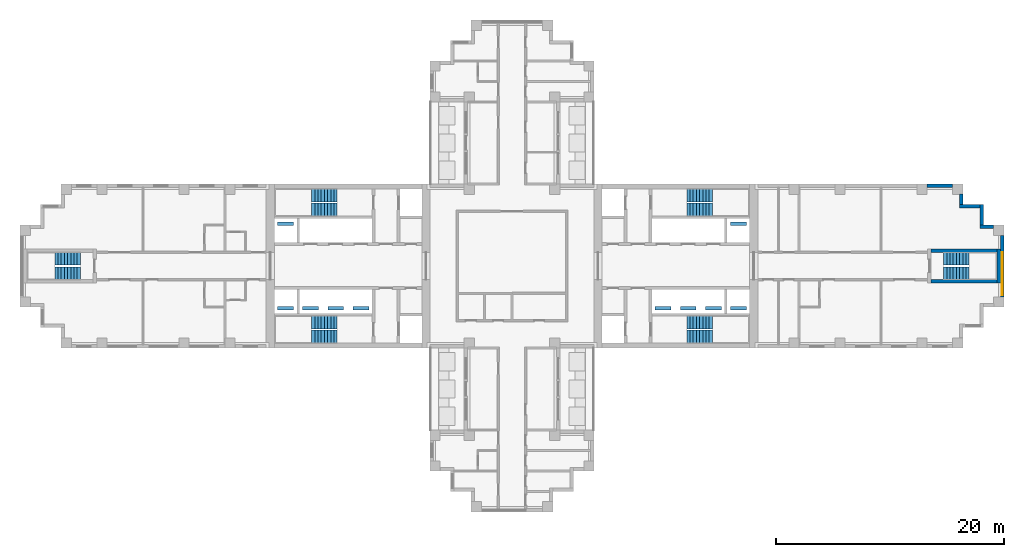
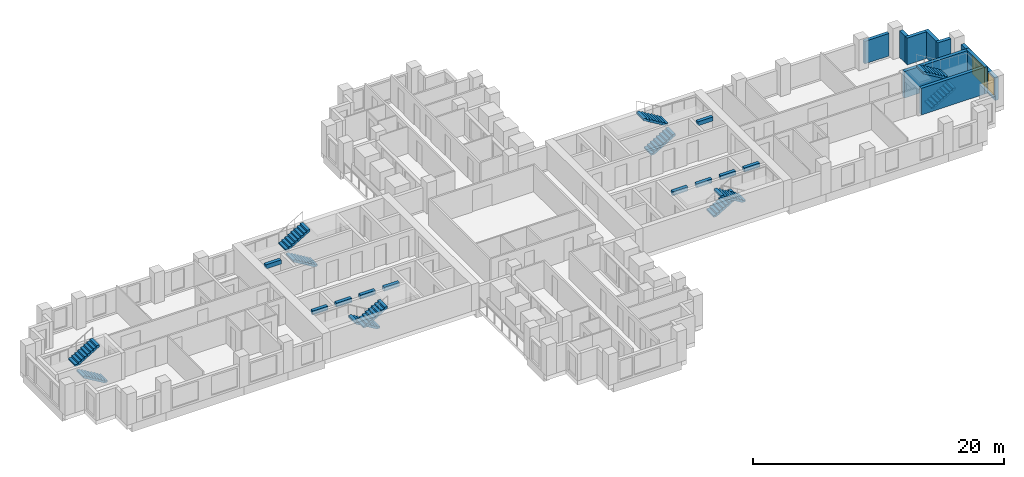
# One storey, part 9 of 11: 12 stair flights, 10 discrete accessories, 9 walls, 2 windows, 2 openings, 6 elements without a shape of their own.
"""IFC4 building model written with IfcOpenShell, lengths in metres."""

import ifcopenshell
import ifcopenshell.guid

model = None  # the IFC model being written
_history = None  # IfcOwnerHistory: only IFC2X3 demands one
_inside = {}  # id of a spatial element -> (the spatial element, [elements in it])
_under = {}  # id of a project, library or spatial element -> (it, [spatial elements below it])
_declared = {}  # id of a project -> (the project, [libraries it declares])
_typed = {}  # id of a type object -> (the type object, [elements of that type])
_made_of = {}  # id of a material, layer set ... -> (it, [elements and type objects made of it])


def new_model(schema):
    """Start an empty IFC model of exactly this schema.

    Asked for "IFC4X3", IfcOpenShell would pick the latest addendum, in which some entities
    have other attributes; the version numbers below select the first issue.
    IFC2X3 requires an IfcOwnerHistory on every rooted entity: one is made here for all.
    """
    global model, _history
    if schema == "IFC4X3":
        model = ifcopenshell.file(schema_version=(4, 3, 0, 0))
    else:
        model = ifcopenshell.file(schema=schema)
    _inside.clear()
    _under.clear()
    _declared.clear()
    _typed.clear()
    _made_of.clear()
    _history = None
    if model.schema == "IFC2X3":
        org = make("IfcOrganization", Name="unknown")
        user = make(
            "IfcPersonAndOrganization",
            ThePerson=make("IfcPerson", FamilyName="unknown"),
            TheOrganization=org,
        )
        app = make(
            "IfcApplication",
            ApplicationDeveloper=org,
            Version="unknown",
            ApplicationFullName="unknown",
            ApplicationIdentifier="unknown",
        )
        _history = make(
            "IfcOwnerHistory",
            OwningUser=user,
            OwningApplication=app,
            ChangeAction="ADDED",
            CreationDate=0,
        )
    return model


def make(cls, **values):
    """One entity of the class cls with the attributes given. An attribute that is None is left unset."""
    return model.create_entity(
        cls, **{name: value for name, value in values.items() if value is not None}
    )


def rooted(cls, **values):
    """An entity with a GlobalId (a new one), such as an element, a storey or a relation."""
    return make(cls, GlobalId=ifcopenshell.guid.new(), OwnerHistory=_history, **values)


def si_unit(unit_type, name, prefix=None):
    """IfcSIUnit, for example si_unit("LENGTHUNIT", "METRE", prefix="MILLI")."""
    return make("IfcSIUnit", UnitType=unit_type, Prefix=prefix, Name=name)


def assignment(units):
    """IfcUnitAssignment: the units of a project."""
    return None if units is None else make("IfcUnitAssignment", Units=units)


def point(xyz):
    """IfcCartesianPoint."""
    return None if xyz is None else make("IfcCartesianPoint", Coordinates=xyz)


def direction(xyz):
    """IfcDirection."""
    return None if xyz is None else make("IfcDirection", DirectionRatios=xyz)


def frame(location, z_axis=None, x_axis=None):
    """IfcAxis2Placement3D, a coordinate frame: its origin and axes. An axis left out is left unset."""
    return make(
        "IfcAxis2Placement3D",
        Location=point(location),
        Axis=direction(z_axis),
        RefDirection=direction(x_axis),
    )


def frame_2d(location, x_axis=None):
    """IfcAxis2Placement2D, a coordinate frame in the plane: its origin and x axis."""
    return make(
        "IfcAxis2Placement2D", Location=point(location), RefDirection=direction(x_axis)
    )


def origin():
    """The frame at (0, 0, 0) with its axes left unset."""
    return frame((0.0, 0.0, 0.0))


def origin_2d():
    """The frame at (0, 0) in the plane with its x axis left unset."""
    return frame_2d((0.0, 0.0))


def place(relative_to, where):
    """IfcLocalPlacement: puts the frame where relative to a parent placement (None: the world)."""
    return make(
        "IfcLocalPlacement", PlacementRelTo=relative_to, RelativePlacement=where
    )


def context(
    kind, dimensions, precision=None, world=None, true_north=None, identifier=None
):
    """IfcGeometricRepresentationContext, for example the 3D "Model" context."""
    return make(
        "IfcGeometricRepresentationContext",
        ContextIdentifier=identifier,
        ContextType=kind,
        CoordinateSpaceDimension=dimensions,
        Precision=precision,
        WorldCoordinateSystem=world,
        TrueNorth=true_north,
    )


def subcontext(parent, identifier, kind, view, scale=None):
    """IfcGeometricRepresentationSubContext, for example "Body" below "Model"."""
    return make(
        "IfcGeometricRepresentationSubContext",
        ContextIdentifier=identifier,
        ContextType=kind,
        ParentContext=parent,
        TargetScale=scale,
        TargetView=view,
    )


def project(units=None, contexts=None):
    """IfcProject with its units and contexts."""
    return rooted(
        "IfcProject",
        Name="project",
        RepresentationContexts=contexts,
        UnitsInContext=assignment(units),
    )


def spatial(cls, under=None, at=None, **own):
    """A site, building, storey or space (cls), placed at a placement, below another one or the project."""
    s = rooted(cls, ObjectPlacement=at, **own)
    if under is not None:
        _under.setdefault(under.id(), (under, []))[1].append(s)
    return s


def polyline(points):
    """IfcPolyline through the points."""
    return make("IfcPolyline", Points=[point(p) for p in points])


def profile(cls, at=None, kind="AREA", **sizes):
    """A parametric profile (cls). Its sizes go by their IFC names, for example OverallWidth=200.0."""
    return make(cls, ProfileType=kind, Position=at, **sizes)


def rectangle(**sizes):
    """IfcRectangleProfileDef."""
    return profile("IfcRectangleProfileDef", **sizes)


def outline(outer, holes=None, kind="AREA"):
    """IfcArbitraryClosedProfileDef: a profile drawn as a closed curve; with holes, ...WithVoids."""
    if holes is None:
        return make("IfcArbitraryClosedProfileDef", ProfileType=kind, OuterCurve=outer)
    return make(
        "IfcArbitraryProfileDefWithVoids",
        ProfileType=kind,
        OuterCurve=outer,
        InnerCurves=holes,
    )


def extrude(swept, where, along, depth):
    """IfcExtrudedAreaSolid: the profile swept, set in the frame where, extruded along a direction by depth."""
    return make(
        "IfcExtrudedAreaSolid",
        SweptArea=swept,
        Position=where,
        ExtrudedDirection=direction(along),
        Depth=depth,
    )


def shape(context_of_items, identifier, shape_type, items):
    """IfcShapeRepresentation: the items that make up one representation, for example the "Body"."""
    return make(
        "IfcShapeRepresentation",
        ContextOfItems=context_of_items,
        RepresentationIdentifier=identifier,
        RepresentationType=shape_type,
        Items=items,
    )


def material(Name=None, Category=None):
    """IfcMaterial."""
    return make("IfcMaterial", Name=Name, Category=Category)


def layer(
    of_material, thickness, ventilated=None, Name=None, Category=None, Priority=None
):
    """IfcMaterialLayer: one layer of a wall or slab, of a material (None: an air gap)."""
    return make(
        "IfcMaterialLayer",
        Material=of_material,
        LayerThickness=thickness,
        IsVentilated=ventilated,
        Name=Name,
        Category=Category,
        Priority=Priority,
    )


def layer_set(layers, Name=None):
    """IfcMaterialLayerSet."""
    return make("IfcMaterialLayerSet", MaterialLayers=layers, LayerSetName=Name)


def made_of(thing, what):
    """Note that an element or type object is made of a material, layer set ...; save() writes the relation."""
    if what is not None:
        _made_of.setdefault(what.id(), (what, []))[1].append(thing)
    return thing


def type_object(cls, material=None, **own):
    """A type object (cls), such as IfcWallType, which elements share."""
    return made_of(rooted(cls, **own), material)


def element(
    cls,
    number,
    at=None,
    inside=None,
    cuts=None,
    type_object=None,
    material=None,
    context=None,
    identifier="Body",
    shape_type=None,
    held_by="IfcProductDefinitionShape",
    body=None,
    shapes=None,
    **own,
):
    """One element of the class cls, such as IfcWall. Its Tag is "e" and its number.

    at: its placement. inside: the storey or other place that contains it. cuts: it is an
    opening in that element (IfcRelVoidsElement). A single representation is given by context,
    identifier, shape_type and body (its items); several are given by shapes. held_by: the class
    of the entity that holds the representations. save() writes the other relations.
    """
    e = rooted(cls, Tag="e%d" % number, ObjectPlacement=at, **own)
    if body is not None:
        shapes = [shape(context, identifier, shape_type, body)]
    if shapes is not None:
        e.Representation = make(held_by, Representations=shapes)
    if inside is not None:
        _inside.setdefault(inside.id(), (inside, []))[1].append(e)
    if cuts is not None:
        rooted(
            "IfcRelVoidsElement", RelatingBuildingElement=cuts, RelatedOpeningElement=e
        )
    if type_object is not None:
        _typed.setdefault(type_object.id(), (type_object, []))[1].append(e)
    return made_of(e, material)


def fill(opening, filler):
    """IfcRelFillsElement: the door or window that sits in an opening."""
    return rooted(
        "IfcRelFillsElement",
        RelatingOpeningElement=opening,
        RelatedBuildingElement=filler,
    )


def aggregate(whole, parts):
    """IfcRelAggregates: a whole, such as a stair, and the parts it consists of."""
    return rooted("IfcRelAggregates", RelatingObject=whole, RelatedObjects=parts)


def save(model, path):
    """Write the relations noted so far, then the file.

    IfcRelAggregates (storeys below a building ...), IfcRelContainedInSpatialStructure (elements
    in a storey), IfcRelDefinesByType, IfcRelAssociatesMaterial and IfcRelDeclares: one each for
    every whole, place, type object, material and project.
    """
    for whole, parts in _under.values():
        aggregate(whole, parts)
    for where, things in _inside.values():
        rooted(
            "IfcRelContainedInSpatialStructure",
            RelatedElements=things,
            RelatingStructure=where,
        )
    for kind, things in _typed.values():
        rooted("IfcRelDefinesByType", RelatedObjects=things, RelatingType=kind)
    for what, things in _made_of.values():
        rooted("IfcRelAssociatesMaterial", RelatedObjects=things, RelatingMaterial=what)
    for by, libraries in _declared.values():
        rooted("IfcRelDeclares", RelatingContext=by, RelatedDefinitions=libraries)
    model.write(path)


model = new_model("IFC4")

# Units and contexts
model_context = context("Model", 3, precision=1e-05, world=origin(), true_north=direction((0.0, 1.0)))
body_context = subcontext(model_context, "Body", "Model", "MODEL_VIEW")
ifc_project = project(units=[si_unit("LENGTHUNIT", "METRE"), si_unit("AREAUNIT", "SQUARE_METRE"), si_unit("VOLUMEUNIT", "CUBIC_METRE"), si_unit("PLANEANGLEUNIT", "RADIAN"), si_unit("MASSUNIT", "GRAM", prefix="KILO")], contexts=[model_context])

# Site, building, storey
site_placement = place(None, origin())
site = spatial("IfcSite", under=ifc_project, at=site_placement, CompositionType="ELEMENT")
building_placement = place(site_placement, origin())
building = spatial("IfcBuilding", under=site, at=building_placement, Name="Fustian Cross Tower", CompositionType="ELEMENT")
storey_placement = place(building_placement, frame((0.0, 0.0, 120.300048828125)))
storey = spatial("IfcBuildingStorey", under=building, at=storey_placement, Name="L37", CompositionType="ELEMENT", Elevation=120.300048828125)

# Walls
ifc_material_1 = material(Name="Concrete C50/60", Category="concrete")
ifc_layer_1 = layer(ifc_material_1, 0.300048828125)
ifc_layer_set_1 = layer_set([ifc_layer_1], Name="Concrete C50/60")
wall_type_1 = type_object("IfcWallType", Name="STAIR ENCLOSURE WALL 300 C50/60", PredefinedType="SHEAR", material=ifc_layer_set_1)
wall_1_placement = place(storey_placement, frame((42.75, -1.5, 0.0), z_axis=(0.0, 0.0, 1.0), x_axis=(0.0, 1.0, 0.0)))
element("IfcWall", 1, at=wall_1_placement, inside=storey, type_object=wall_type_1, Name="Stair enclosure wall", PredefinedType="SHEAR", context=body_context, shape_type="SweptSolid", body=[
    extrude(rectangle(XDim=3.0, YDim=0.300048828125, at=frame_2d((1.5, 0.0))), origin(), (0.0, 0.0, 1.0), 2.599853515625),
])
for number, where, z_axis, x_axis, name in (
    (2, (36.800048828125, -1.35009765625, 0.0), (0.0, 0.0, 1.0), (1.0, 0.0, 0.0), "Stair enclosure wall"),
    (3, (36.800048828125, 1.35009765625, 0.0), (0.0, 0.0, 1.0), (1.0, 0.0, 0.0), "Stair enclosure wall"),
):
    element("IfcWall", number, at=place(storey_placement, frame(where, z_axis=z_axis, x_axis=x_axis)), inside=storey, type_object=wall_type_1, Name=name, PredefinedType="SHEAR", context=body_context, shape_type="SweptSolid", body=[
        extrude(rectangle(XDim=5.800048828125, YDim=0.300048828125, at=frame_2d((2.89990234375, 0.0))), origin(), (0.0, 0.0, 1.0), 2.599853515625),
    ])

# Wall, openings, windows
ifc_material_2 = material(Name="Dark aluminium cladding on insulated backing wall", Category="aluminium")
ifc_layer_2 = layer(ifc_material_2, 0.300048828125)
ifc_layer_set_2 = layer_set([ifc_layer_2], Name="Dark aluminium cladding on insulated backing wall")
wall_type_2 = type_object("IfcWallType", Name="XW1 EXTERNAL WALL 300", PredefinedType="SOLIDWALL", material=ifc_layer_set_2)
wall_2_placement = place(storey_placement, frame((43.050048828125, -2.699951171875, 0.0), z_axis=(0.0, 0.0, 1.0), x_axis=(0.0, 1.0, 0.0)))
wall_2 = element("IfcWall", 4, at=wall_2_placement, inside=storey, type_object=wall_type_2, Name="External wall", PredefinedType="SOLIDWALL", context=body_context, shape_type="SweptSolid", body=[
    extrude(rectangle(XDim=5.39990234375, YDim=0.300048828125, at=frame_2d((2.699951171875, 0.0))), origin(), (0.0, 0.0, 1.0), 2.199951171875),
])
opening_1_placement = place(wall_2_placement, frame((1.5, 0.0, 0.199951171875)))
opening_1 = element("IfcOpeningElement", 5, at=opening_1_placement, cuts=wall_2, Name="Opening WN1", PredefinedType="OPENING", context=body_context, shape_type="SweptSolid", body=[
    extrude(rectangle(XDim=2.39990234375, YDim=1.85009765625, at=frame_2d((1.199951171875, 0.925048828125))), frame((0.0, 0.159912109375, 0.0), z_axis=(0.0, -1.0, 0.0), x_axis=(1.0, 0.0, 0.0)), (0.0, 0.0, 1.0), 0.320068359375),
])
opening_2_placement = place(wall_2_placement, frame((0.14990234375, 0.0, 0.199951171875)))
opening_2 = element("IfcOpeningElement", 6, at=opening_2_placement, cuts=wall_2, Name="Opening WN3", PredefinedType="OPENING", context=body_context, shape_type="SweptSolid", body=[
    extrude(rectangle(XDim=1.199951171875, YDim=1.85009765625, at=frame_2d((0.60009765625, 0.925048828125))), frame((0.0, 0.159912109375, 0.0), z_axis=(0.0, -1.0, 0.0), x_axis=(1.0, 0.0, 0.0)), (0.0, 0.0, 1.0), 0.320068359375),
])
ifc_material_3 = material(Name="Dark anodised aluminium and double glazing", Category="aluminium")
window_type_1 = type_object("IfcWindowType", Name="WN1 WINDOW 2400X1850", PartitioningType="SINGLE_PANEL", PredefinedType="WINDOW", material=ifc_material_3)
window_1_placement = place(opening_1_placement, origin())
window_1 = element("IfcWindow", 7, at=window_1_placement, inside=storey, type_object=window_type_1, Name="Window", OverallHeight=1.85009765625, OverallWidth=2.39990234375, PartitioningType="SINGLE_PANEL", PredefinedType="WINDOW", context=body_context, shape_type="SweptSolid", body=[
    extrude(rectangle(XDim=2.39990234375, YDim=1.85009765625, at=frame_2d((1.199951171875, 0.925048828125))), frame((0.0, 0.030029296875, 0.0), z_axis=(0.0, -1.0, 0.0), x_axis=(1.0, 0.0, 0.0)), (0.0, 0.0, 1.0), 0.06005859375),
])
fill(opening_1, window_1)
ifc_material_4 = material(Name="Dark anodised aluminium and double glazing", Category="aluminium")
window_type_2 = type_object("IfcWindowType", Name="WN3 WINDOW 1200X1850", PartitioningType="SINGLE_PANEL", PredefinedType="WINDOW", material=ifc_material_4)
window_2_placement = place(opening_2_placement, origin())
window_2 = element("IfcWindow", 8, at=window_2_placement, inside=storey, type_object=window_type_2, Name="Window", OverallHeight=1.85009765625, OverallWidth=1.199951171875, PartitioningType="SINGLE_PANEL", PredefinedType="WINDOW", context=body_context, shape_type="SweptSolid", body=[
    extrude(rectangle(XDim=1.199951171875, YDim=1.85009765625, at=frame_2d((0.60009765625, 0.925048828125))), frame((0.0, 0.030029296875, 0.0), z_axis=(0.0, -1.0, 0.0), x_axis=(1.0, 0.0, 0.0)), (0.0, 0.0, 1.0), 0.06005859375),
])
fill(opening_2, window_2)

# Walls
wall_3_placement = place(storey_placement, frame((42.300048828125, 3.449951171875, 0.0), z_axis=(0.0, 0.0, 1.0), x_axis=(-1.0, 0.0, 0.0)))
element("IfcWall", 9, at=wall_3_placement, inside=storey, type_object=wall_type_2, Name="External wall", PredefinedType="SOLIDWALL", context=body_context, shape_type="SweptSolid", body=[
    extrude(rectangle(XDim=1.199951171875, YDim=0.300048828125, at=frame_2d((0.60009765625, 0.0))), origin(), (0.0, 0.0, 1.0), 2.599853515625),
])
wall_4_placement = place(storey_placement, frame((41.25, 3.60009765625, 0.0), z_axis=(0.0, 0.0, 1.0), x_axis=(0.0, 1.0, 0.0)))
element("IfcWall", 10, at=wall_4_placement, inside=storey, type_object=wall_type_2, Name="External wall", PredefinedType="SOLIDWALL", context=body_context, shape_type="SweptSolid", body=[
    extrude(rectangle(XDim=1.7998046875, YDim=0.300048828125, at=frame_2d((0.89990234375, 0.0))), origin(), (0.0, 0.0, 1.0), 2.599853515625),
])
wall_5_placement = place(storey_placement, frame((41.10009765625, 5.25, 0.0), z_axis=(0.0, 0.0, 1.0), x_axis=(-1.0, 0.0, 0.0)))
element("IfcWall", 11, at=wall_5_placement, inside=storey, type_object=wall_type_2, Name="External wall", PredefinedType="SOLIDWALL", context=body_context, shape_type="SweptSolid", body=[
    extrude(rectangle(XDim=1.800048828125, YDim=0.300048828125, at=frame_2d((0.89990234375, 0.0))), origin(), (0.0, 0.0, 1.0), 2.599853515625),
])
wall_6_placement = place(storey_placement, frame((39.449951171875, 5.39990234375, 0.0), z_axis=(0.0, 0.0, 1.0), x_axis=(0.0, 1.0, 0.0)))
element("IfcWall", 12, at=wall_6_placement, inside=storey, type_object=wall_type_2, Name="External wall", PredefinedType="SOLIDWALL", context=body_context, shape_type="SweptSolid", body=[
    extrude(rectangle(XDim=0.900146484375, YDim=0.300048828125, at=frame_2d((0.4501953125, 0.0))), origin(), (0.0, 0.0, 1.0), 2.599853515625),
])
wall_7_placement = place(storey_placement, frame((38.699951171875, 7.050048828125, 0.0), z_axis=(0.0, 0.0, 1.0), x_axis=(-1.0, 0.0, 0.0)))
element("IfcWall", 13, at=wall_7_placement, inside=storey, type_object=wall_type_2, Name="External wall", PredefinedType="SOLIDWALL", context=body_context, shape_type="SweptSolid", body=[
    extrude(rectangle(XDim=2.25, YDim=0.300048828125, at=frame_2d((1.125, 0.0))), origin(), (0.0, 0.0, 1.0), 2.199951171875),
])

# Stair, stair flights
ifc_material_5 = material(Name="Concrete C50/60", Category="concrete")
stair_type_1 = type_object("IfcStairType", Name="STAIR 1100 HALF TURN", PredefinedType="HALF_TURN_STAIR", material=ifc_material_5)
stair_1_placement = place(storey_placement, origin())
stair_1 = element("IfcStair", 14, at=stair_1_placement, inside=storey, type_object=stair_type_1, Name="Stair ST8", PredefinedType="HALF_TURN_STAIR")
ifc_material_6 = material(Name="Concrete C50/60", Category="concrete")
stair_flight_type_1 = type_object("IfcStairFlightType", Name="STAIR FLIGHT 1100", PredefinedType="STRAIGHT", material=ifc_material_6)
stair_flight_1_placement = place(storey_placement, frame((37.89990234375, -0.64990234375, 0.0), z_axis=(0.0, 0.0, 1.0), x_axis=(1.0, 0.0, 0.0)))
stair_flight_1 = element("IfcStairFlight", 15, at=stair_flight_1_placement, type_object=stair_flight_type_1, Name="ST8 flight 1", NumberOfRisers=9, NumberOfTreads=8, PredefinedType="STRAIGHT", RiserHeight=0.166666667, TreadLength=0.28, context=body_context, shape_type="SweptSolid", body=[
    extrude(outline(polyline([(0.0, 0.0), (0.0, 0.166748046875), (0.280029296875, 0.166748046875), (0.280029296875, 0.333251953125), (0.56005859375, 0.333251953125), (0.56005859375, 0.5), (0.840087890625, 0.5), (0.840087890625, 0.666748046875), (1.1201171875, 0.666748046875), (1.1201171875, 0.833251953125), (1.39990234375, 0.833251953125), (1.39990234375, 1.0), (1.679931640625, 1.0), (1.679931640625, 1.166748046875), (1.9599609375, 1.166748046875), (1.9599609375, 1.333251953125), (2.239990234375, 1.333251953125), (2.239990234375, 1.5), (2.239990234375, 1.158935546875), (0.29296875, 0.0), (0.0, 0.0)])), frame((0.0, 0.550048828125, 0.0), z_axis=(0.0, -1.0, 0.0), x_axis=(1.0, 0.0, 0.0)), (0.0, 0.0, 1.0), 1.10009765625),
])
stair_flight_2_placement = place(storey_placement, frame((40.139892578125, 0.64990234375, 1.5), z_axis=(0.0, 0.0, 1.0), x_axis=(-1.0, 0.0, 0.0)))
stair_flight_2 = element("IfcStairFlight", 16, at=stair_flight_2_placement, type_object=stair_flight_type_1, Name="ST8 flight 2", NumberOfRisers=9, NumberOfTreads=8, PredefinedType="STRAIGHT", RiserHeight=0.166666667, TreadLength=0.28, context=body_context, shape_type="SweptSolid", body=[
    extrude(outline(polyline([(0.0, 0.0), (0.0, 0.166748046875), (0.280029296875, 0.166748046875), (0.280029296875, 0.333251953125), (0.56005859375, 0.333251953125), (0.56005859375, 0.5), (0.840087890625, 0.5), (0.840087890625, 0.666748046875), (1.1201171875, 0.666748046875), (1.1201171875, 0.833251953125), (1.39990234375, 0.833251953125), (1.39990234375, 1.0), (1.679931640625, 1.0), (1.679931640625, 1.166748046875), (1.9599609375, 1.166748046875), (1.9599609375, 1.333251953125), (2.239990234375, 1.333251953125), (2.239990234375, 1.5), (2.239990234375, 1.158935546875), (0.29296875, 0.0), (0.0, 0.0)])), frame((0.0, 0.550048828125, 0.0), z_axis=(0.0, -1.0, 0.0), x_axis=(1.0, 0.0, 0.0)), (0.0, 0.0, 1.0), 1.10009765625),
])
aggregate(stair_1, [stair_flight_1, stair_flight_2])

stair_2_placement = place(storey_placement, origin())
stair_2 = element("IfcStair", 17, at=stair_2_placement, inside=storey, type_object=stair_type_1, Name="Stair ST9", PredefinedType="HALF_TURN_STAIR")
stair_flight_3_placement = place(storey_placement, frame((-37.89990234375, -0.64990234375, 0.0), z_axis=(0.0, 0.0, 1.0), x_axis=(-1.0, 0.0, 0.0)))
stair_flight_3 = element("IfcStairFlight", 18, at=stair_flight_3_placement, type_object=stair_flight_type_1, Name="ST9 flight 1", NumberOfRisers=9, NumberOfTreads=8, PredefinedType="STRAIGHT", RiserHeight=0.166666667, TreadLength=0.28, context=body_context, shape_type="SweptSolid", body=[
    extrude(outline(polyline([(0.0, 0.0), (0.0, 0.166748046875), (0.280029296875, 0.166748046875), (0.280029296875, 0.333251953125), (0.56005859375, 0.333251953125), (0.56005859375, 0.5), (0.840087890625, 0.5), (0.840087890625, 0.666748046875), (1.1201171875, 0.666748046875), (1.1201171875, 0.833251953125), (1.39990234375, 0.833251953125), (1.39990234375, 1.0), (1.679931640625, 1.0), (1.679931640625, 1.166748046875), (1.9599609375, 1.166748046875), (1.9599609375, 1.333251953125), (2.239990234375, 1.333251953125), (2.239990234375, 1.5), (2.239990234375, 1.158935546875), (0.29296875, 0.0), (0.0, 0.0)])), frame((0.0, 0.550048828125, 0.0), z_axis=(0.0, -1.0, 0.0), x_axis=(1.0, 0.0, 0.0)), (0.0, 0.0, 1.0), 1.10009765625),
])
stair_flight_4_placement = place(storey_placement, frame((-40.139892578125, 0.64990234375, 1.5), z_axis=(0.0, 0.0, 1.0), x_axis=(1.0, 0.0, 0.0)))
stair_flight_4 = element("IfcStairFlight", 19, at=stair_flight_4_placement, type_object=stair_flight_type_1, Name="ST9 flight 2", NumberOfRisers=9, NumberOfTreads=8, PredefinedType="STRAIGHT", RiserHeight=0.166666667, TreadLength=0.28, context=body_context, shape_type="SweptSolid", body=[
    extrude(outline(polyline([(0.0, 0.0), (0.0, 0.166748046875), (0.280029296875, 0.166748046875), (0.280029296875, 0.333251953125), (0.56005859375, 0.333251953125), (0.56005859375, 0.5), (0.840087890625, 0.5), (0.840087890625, 0.666748046875), (1.1201171875, 0.666748046875), (1.1201171875, 0.833251953125), (1.39990234375, 0.833251953125), (1.39990234375, 1.0), (1.679931640625, 1.0), (1.679931640625, 1.166748046875), (1.9599609375, 1.166748046875), (1.9599609375, 1.333251953125), (2.239990234375, 1.333251953125), (2.239990234375, 1.5), (2.239990234375, 1.158935546875), (0.29296875, 0.0), (0.0, 0.0)])), frame((0.0, 0.550048828125, 0.0), z_axis=(0.0, -1.0, 0.0), x_axis=(1.0, 0.0, 0.0)), (0.0, 0.0, 1.0), 1.10009765625),
])
aggregate(stair_2, [stair_flight_3, stair_flight_4])

ifc_material_7 = material(Name="Concrete C50/60", Category="concrete")
stair_type_2 = type_object("IfcStairType", Name="STAIR 1150 HALF TURN", PredefinedType="HALF_TURN_STAIR", material=ifc_material_7)
stair_3_placement = place(storey_placement, origin())
stair_3 = element("IfcStair", 20, at=stair_3_placement, inside=storey, type_object=stair_type_2, Name="Stair ST1", PredefinedType="HALF_TURN_STAIR")
ifc_material_8 = material(Name="Concrete C50/60", Category="concrete")
stair_flight_type_2 = type_object("IfcStairFlightType", Name="STAIR FLIGHT 1150", PredefinedType="STRAIGHT", material=ifc_material_8)
stair_flight_5_placement = place(storey_placement, frame((15.35009765625, 4.97509765625, 0.0), z_axis=(0.0, 0.0, 1.0), x_axis=(1.0, 0.0, 0.0)))
stair_flight_5 = element("IfcStairFlight", 21, at=stair_flight_5_placement, type_object=stair_flight_type_2, Name="ST1 flight 1", NumberOfRisers=9, NumberOfTreads=8, PredefinedType="STRAIGHT", RiserHeight=0.166666667, TreadLength=0.28, context=body_context, shape_type="SweptSolid", body=[
    extrude(outline(polyline([(0.0, 0.0), (0.0, 0.166748046875), (0.280029296875, 0.166748046875), (0.280029296875, 0.333251953125), (0.56005859375, 0.333251953125), (0.56005859375, 0.5), (0.840087890625, 0.5), (0.840087890625, 0.666748046875), (1.1201171875, 0.666748046875), (1.1201171875, 0.833251953125), (1.39990234375, 0.833251953125), (1.39990234375, 1.0), (1.679931640625, 1.0), (1.679931640625, 1.166748046875), (1.9599609375, 1.166748046875), (1.9599609375, 1.333251953125), (2.239990234375, 1.333251953125), (2.239990234375, 1.5), (2.239990234375, 1.158935546875), (0.29296875, 0.0), (0.0, 0.0)])), frame((0.0, 0.574951171875, 0.0), z_axis=(0.0, -1.0, 0.0), x_axis=(1.0, 0.0, 0.0)), (0.0, 0.0, 1.0), 1.14990234375),
])
stair_flight_6_placement = place(storey_placement, frame((17.590087890625, 6.175048828125, 1.5), z_axis=(0.0, 0.0, 1.0), x_axis=(-1.0, 0.0, 0.0)))
stair_flight_6 = element("IfcStairFlight", 22, at=stair_flight_6_placement, type_object=stair_flight_type_2, Name="ST1 flight 2", NumberOfRisers=9, NumberOfTreads=8, PredefinedType="STRAIGHT", RiserHeight=0.166666667, TreadLength=0.28, context=body_context, shape_type="SweptSolid", body=[
    extrude(outline(polyline([(0.0, 0.0), (0.0, 0.166748046875), (0.280029296875, 0.166748046875), (0.280029296875, 0.333251953125), (0.56005859375, 0.333251953125), (0.56005859375, 0.5), (0.840087890625, 0.5), (0.840087890625, 0.666748046875), (1.1201171875, 0.666748046875), (1.1201171875, 0.833251953125), (1.39990234375, 0.833251953125), (1.39990234375, 1.0), (1.679931640625, 1.0), (1.679931640625, 1.166748046875), (1.9599609375, 1.166748046875), (1.9599609375, 1.333251953125), (2.239990234375, 1.333251953125), (2.239990234375, 1.5), (2.239990234375, 1.158935546875), (0.29296875, 0.0), (0.0, 0.0)])), frame((0.0, 0.574951171875, 0.0), z_axis=(0.0, -1.0, 0.0), x_axis=(1.0, 0.0, 0.0)), (0.0, 0.0, 1.0), 1.14990234375),
])
aggregate(stair_3, [stair_flight_5, stair_flight_6])

stair_4_placement = place(storey_placement, origin())
stair_4 = element("IfcStair", 23, at=stair_4_placement, inside=storey, type_object=stair_type_2, Name="Stair ST2", PredefinedType="HALF_TURN_STAIR")
stair_flight_7_placement = place(storey_placement, frame((15.35009765625, -4.97509765625, 0.0), z_axis=(0.0, 0.0, 1.0), x_axis=(1.0, 0.0, 0.0)))
stair_flight_7 = element("IfcStairFlight", 24, at=stair_flight_7_placement, type_object=stair_flight_type_2, Name="ST2 flight 1", NumberOfRisers=9, NumberOfTreads=8, PredefinedType="STRAIGHT", RiserHeight=0.166666667, TreadLength=0.28, context=body_context, shape_type="SweptSolid", body=[
    extrude(outline(polyline([(0.0, 0.0), (0.0, 0.166748046875), (0.280029296875, 0.166748046875), (0.280029296875, 0.333251953125), (0.56005859375, 0.333251953125), (0.56005859375, 0.5), (0.840087890625, 0.5), (0.840087890625, 0.666748046875), (1.1201171875, 0.666748046875), (1.1201171875, 0.833251953125), (1.39990234375, 0.833251953125), (1.39990234375, 1.0), (1.679931640625, 1.0), (1.679931640625, 1.166748046875), (1.9599609375, 1.166748046875), (1.9599609375, 1.333251953125), (2.239990234375, 1.333251953125), (2.239990234375, 1.5), (2.239990234375, 1.158935546875), (0.29296875, 0.0), (0.0, 0.0)])), frame((0.0, 0.574951171875, 0.0), z_axis=(0.0, -1.0, 0.0), x_axis=(1.0, 0.0, 0.0)), (0.0, 0.0, 1.0), 1.14990234375),
])
stair_flight_8_placement = place(storey_placement, frame((17.590087890625, -6.175048828125, 1.5), z_axis=(0.0, 0.0, 1.0), x_axis=(-1.0, 0.0, 0.0)))
stair_flight_8 = element("IfcStairFlight", 25, at=stair_flight_8_placement, type_object=stair_flight_type_2, Name="ST2 flight 2", NumberOfRisers=9, NumberOfTreads=8, PredefinedType="STRAIGHT", RiserHeight=0.166666667, TreadLength=0.28, context=body_context, shape_type="SweptSolid", body=[
    extrude(outline(polyline([(0.0, 0.0), (0.0, 0.166748046875), (0.280029296875, 0.166748046875), (0.280029296875, 0.333251953125), (0.56005859375, 0.333251953125), (0.56005859375, 0.5), (0.840087890625, 0.5), (0.840087890625, 0.666748046875), (1.1201171875, 0.666748046875), (1.1201171875, 0.833251953125), (1.39990234375, 0.833251953125), (1.39990234375, 1.0), (1.679931640625, 1.0), (1.679931640625, 1.166748046875), (1.9599609375, 1.166748046875), (1.9599609375, 1.333251953125), (2.239990234375, 1.333251953125), (2.239990234375, 1.5), (2.239990234375, 1.158935546875), (0.29296875, 0.0), (0.0, 0.0)])), frame((0.0, 0.574951171875, 0.0), z_axis=(0.0, -1.0, 0.0), x_axis=(1.0, 0.0, 0.0)), (0.0, 0.0, 1.0), 1.14990234375),
])
aggregate(stair_4, [stair_flight_7, stair_flight_8])

stair_5_placement = place(storey_placement, origin())
stair_5 = element("IfcStair", 26, at=stair_5_placement, inside=storey, type_object=stair_type_2, Name="Stair ST3", PredefinedType="HALF_TURN_STAIR")
stair_flight_9_placement = place(storey_placement, frame((-15.35009765625, 4.97509765625, 0.0), z_axis=(0.0, 0.0, 1.0), x_axis=(-1.0, 0.0, 0.0)))
stair_flight_9 = element("IfcStairFlight", 27, at=stair_flight_9_placement, type_object=stair_flight_type_2, Name="ST3 flight 1", NumberOfRisers=9, NumberOfTreads=8, PredefinedType="STRAIGHT", RiserHeight=0.166666667, TreadLength=0.28, context=body_context, shape_type="SweptSolid", body=[
    extrude(outline(polyline([(0.0, 0.0), (0.0, 0.166748046875), (0.280029296875, 0.166748046875), (0.280029296875, 0.333251953125), (0.56005859375, 0.333251953125), (0.56005859375, 0.5), (0.840087890625, 0.5), (0.840087890625, 0.666748046875), (1.1201171875, 0.666748046875), (1.1201171875, 0.833251953125), (1.39990234375, 0.833251953125), (1.39990234375, 1.0), (1.679931640625, 1.0), (1.679931640625, 1.166748046875), (1.9599609375, 1.166748046875), (1.9599609375, 1.333251953125), (2.239990234375, 1.333251953125), (2.239990234375, 1.5), (2.239990234375, 1.158935546875), (0.29296875, 0.0), (0.0, 0.0)])), frame((0.0, 0.574951171875, 0.0), z_axis=(0.0, -1.0, 0.0), x_axis=(1.0, 0.0, 0.0)), (0.0, 0.0, 1.0), 1.14990234375),
])
stair_flight_10_placement = place(storey_placement, frame((-17.590087890625, 6.175048828125, 1.5), z_axis=(0.0, 0.0, 1.0), x_axis=(1.0, 0.0, 0.0)))
stair_flight_10 = element("IfcStairFlight", 28, at=stair_flight_10_placement, type_object=stair_flight_type_2, Name="ST3 flight 2", NumberOfRisers=9, NumberOfTreads=8, PredefinedType="STRAIGHT", RiserHeight=0.166666667, TreadLength=0.28, context=body_context, shape_type="SweptSolid", body=[
    extrude(outline(polyline([(0.0, 0.0), (0.0, 0.166748046875), (0.280029296875, 0.166748046875), (0.280029296875, 0.333251953125), (0.56005859375, 0.333251953125), (0.56005859375, 0.5), (0.840087890625, 0.5), (0.840087890625, 0.666748046875), (1.1201171875, 0.666748046875), (1.1201171875, 0.833251953125), (1.39990234375, 0.833251953125), (1.39990234375, 1.0), (1.679931640625, 1.0), (1.679931640625, 1.166748046875), (1.9599609375, 1.166748046875), (1.9599609375, 1.333251953125), (2.239990234375, 1.333251953125), (2.239990234375, 1.5), (2.239990234375, 1.158935546875), (0.29296875, 0.0), (0.0, 0.0)])), frame((0.0, 0.574951171875, 0.0), z_axis=(0.0, -1.0, 0.0), x_axis=(1.0, 0.0, 0.0)), (0.0, 0.0, 1.0), 1.14990234375),
])
aggregate(stair_5, [stair_flight_9, stair_flight_10])

stair_6_placement = place(storey_placement, origin())
stair_6 = element("IfcStair", 29, at=stair_6_placement, inside=storey, type_object=stair_type_2, Name="Stair ST4", PredefinedType="HALF_TURN_STAIR")
stair_flight_11_placement = place(storey_placement, frame((-15.35009765625, -4.97509765625, 0.0), z_axis=(0.0, 0.0, 1.0), x_axis=(-1.0, 0.0, 0.0)))
stair_flight_11 = element("IfcStairFlight", 30, at=stair_flight_11_placement, type_object=stair_flight_type_2, Name="ST4 flight 1", NumberOfRisers=9, NumberOfTreads=8, PredefinedType="STRAIGHT", RiserHeight=0.166666667, TreadLength=0.28, context=body_context, shape_type="SweptSolid", body=[
    extrude(outline(polyline([(0.0, 0.0), (0.0, 0.166748046875), (0.280029296875, 0.166748046875), (0.280029296875, 0.333251953125), (0.56005859375, 0.333251953125), (0.56005859375, 0.5), (0.840087890625, 0.5), (0.840087890625, 0.666748046875), (1.1201171875, 0.666748046875), (1.1201171875, 0.833251953125), (1.39990234375, 0.833251953125), (1.39990234375, 1.0), (1.679931640625, 1.0), (1.679931640625, 1.166748046875), (1.9599609375, 1.166748046875), (1.9599609375, 1.333251953125), (2.239990234375, 1.333251953125), (2.239990234375, 1.5), (2.239990234375, 1.158935546875), (0.29296875, 0.0), (0.0, 0.0)])), frame((0.0, 0.574951171875, 0.0), z_axis=(0.0, -1.0, 0.0), x_axis=(1.0, 0.0, 0.0)), (0.0, 0.0, 1.0), 1.14990234375),
])
stair_flight_12_placement = place(storey_placement, frame((-17.590087890625, -6.175048828125, 1.5), z_axis=(0.0, 0.0, 1.0), x_axis=(1.0, 0.0, 0.0)))
stair_flight_12 = element("IfcStairFlight", 31, at=stair_flight_12_placement, type_object=stair_flight_type_2, Name="ST4 flight 2", NumberOfRisers=9, NumberOfTreads=8, PredefinedType="STRAIGHT", RiserHeight=0.166666667, TreadLength=0.28, context=body_context, shape_type="SweptSolid", body=[
    extrude(outline(polyline([(0.0, 0.0), (0.0, 0.166748046875), (0.280029296875, 0.166748046875), (0.280029296875, 0.333251953125), (0.56005859375, 0.333251953125), (0.56005859375, 0.5), (0.840087890625, 0.5), (0.840087890625, 0.666748046875), (1.1201171875, 0.666748046875), (1.1201171875, 0.833251953125), (1.39990234375, 0.833251953125), (1.39990234375, 1.0), (1.679931640625, 1.0), (1.679931640625, 1.166748046875), (1.9599609375, 1.166748046875), (1.9599609375, 1.333251953125), (2.239990234375, 1.333251953125), (2.239990234375, 1.5), (2.239990234375, 1.158935546875), (0.29296875, 0.0), (0.0, 0.0)])), frame((0.0, 0.574951171875, 0.0), z_axis=(0.0, -1.0, 0.0), x_axis=(1.0, 0.0, 0.0)), (0.0, 0.0, 1.0), 1.14990234375),
])
aggregate(stair_6, [stair_flight_11, stair_flight_12])

# Discrete accessories
ifc_material_9 = material(Name="Steel S355", Category="steel")
for number, where, z_axis, x_axis, name in (
    (32, (13.27490234375, -3.7099609375, 2.050048828125), (0.0, 0.0, 1.0), (1.0, 0.0, 0.0), "Lift machine LR1"),
    (33, (15.47509765625, -3.7099609375, 2.050048828125), (0.0, 0.0, 1.0), (1.0, 0.0, 0.0), "Lift machine LR2"),
    (34, (17.675048828125, -3.7099609375, 2.050048828125), (0.0, 0.0, 1.0), (1.0, 0.0, 0.0), "Lift machine LR3"),
    (35, (19.875, -3.7099609375, 2.050048828125), (0.0, 0.0, 1.0), (1.0, 0.0, 0.0), "Lift machine SH1"),
    (36, (19.875, 3.7099609375, 2.050048828125), (0.0, 0.0, 1.0), (1.0, 0.0, 0.0), "Lift machine SH2"),
    (37, (-13.27490234375, -3.7099609375, 2.050048828125), (0.0, 0.0, 1.0), (1.0, 0.0, 0.0), "Lift machine LR1W"),
    (38, (-15.47509765625, -3.7099609375, 2.050048828125), (0.0, 0.0, 1.0), (1.0, 0.0, 0.0), "Lift machine LR2W"),
    (39, (-17.675048828125, -3.7099609375, 2.050048828125), (0.0, 0.0, 1.0), (1.0, 0.0, 0.0), "Lift machine LR3W"),
    (40, (-19.875, -3.7099609375, 2.050048828125), (0.0, 0.0, 1.0), (1.0, 0.0, 0.0), "Lift machine SH1W"),
    (41, (-19.875, 3.7099609375, 2.050048828125), (0.0, 0.0, 1.0), (1.0, 0.0, 0.0), "Lift machine SH2W"),
):
    element("IfcDiscreteAccessory", number, at=place(storey_placement, frame(where, z_axis=z_axis, x_axis=x_axis)), inside=storey, material=ifc_material_9, Name=name, PredefinedType="NOTDEFINED", context=body_context, shape_type="SweptSolid", body=[
        extrude(rectangle(XDim=1.39990234375, YDim=0.300048828125, at=origin_2d()), origin(), (0.0, 0.0, 1.0), 0.39990234375),
    ])

save(model, "model.ifc")
